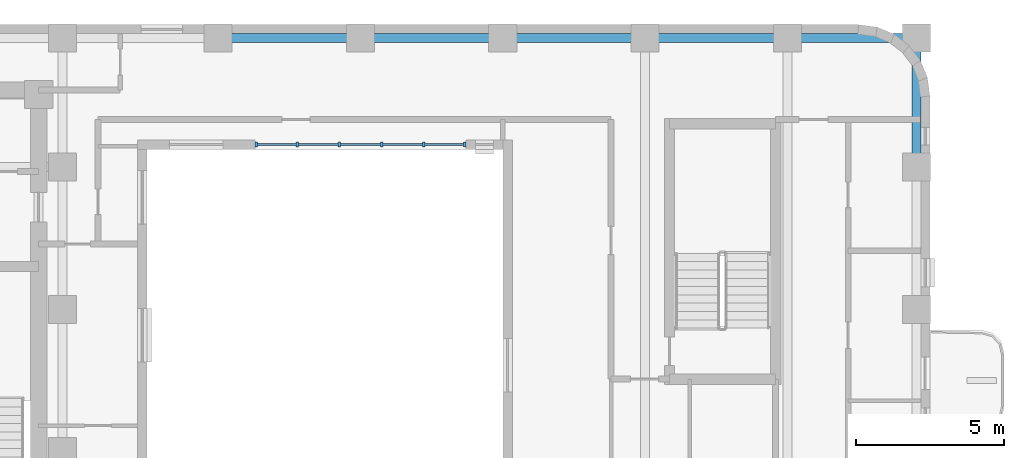
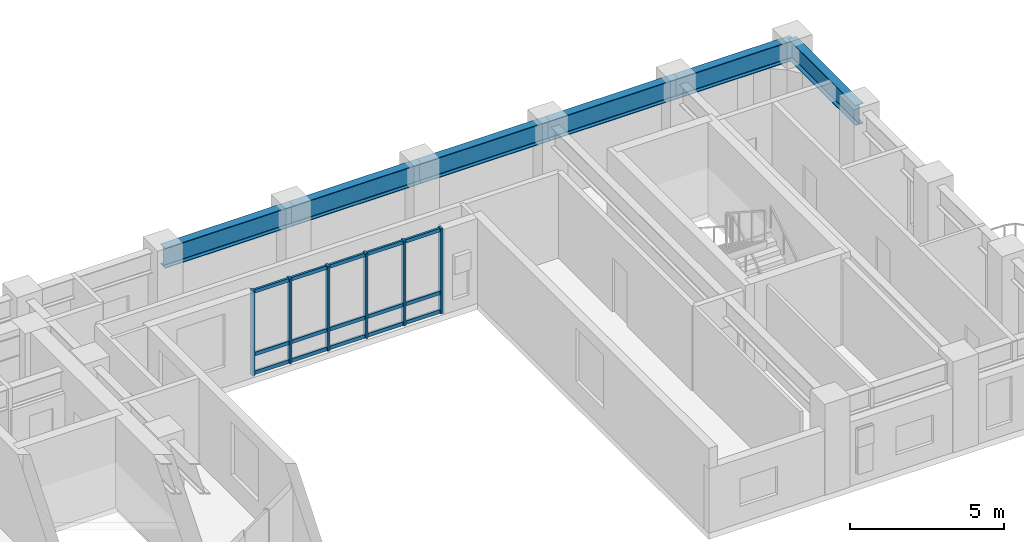
# One storey, part 2 of 11: 21 members, 6 beams, 1 element without a shape of its own.
"""IFC4 building model written with IfcOpenShell, lengths in metres."""

from ifc_helpers import new_model, si_unit, direction, frame, origin, origin_2d, place, context, subcontext, project, spatial, rectangle, i_section, extrude, material, material_profile, profile_set, type_object, element, aggregate, save


model = new_model("IFC4")

# Units and contexts
model_context = context("Model", 3, precision=1e-05, world=origin(), true_north=direction((0.0, 1.0)))
body_context = subcontext(model_context, "Body", "Model", "MODEL_VIEW")
ifc_project = project(units=[si_unit("LENGTHUNIT", "METRE"), si_unit("AREAUNIT", "SQUARE_METRE"), si_unit("VOLUMEUNIT", "CUBIC_METRE"), si_unit("PLANEANGLEUNIT", "RADIAN"), si_unit("MASSUNIT", "GRAM", prefix="KILO")], contexts=[model_context])

# Site, building, storey
site_placement = place(None, origin())
site = spatial("IfcSite", under=ifc_project, at=site_placement, CompositionType="ELEMENT")
building_placement = place(site_placement, origin())
building = spatial("IfcBuilding", under=site, at=building_placement, Name="Orvandelia Arch Residences", CompositionType="ELEMENT")
storey_placement = place(building_placement, frame((0.0, 0.0, 172.0)))
storey = spatial("IfcBuildingStorey", under=building, at=storey_placement, Name="L45", CompositionType="ELEMENT", Elevation=172.0)

# Beams
ifc_material_1 = material(Name="Structural Steel SM355 (355 MPa)", Category="steel")
ifc_material_profile_1 = material_profile(ifc_material_1, i_section(OverallWidth=0.300048828125, OverallDepth=0.800048828125, WebThickness=0.013916015625, FlangeThickness=0.02587890625, FilletRadius=0.02587890625, at=origin_2d()), Name="Structural Steel SM355 (355 MPa)", Category="steel")
ifc_profile_set_1 = profile_set([ifc_material_profile_1], Name="Structural Steel SM355 (355 MPa)")
beam_type = type_object("IfcBeamType", Name="BM-GRD-H800", PredefinedType="BEAM", material=ifc_profile_set_1)
beam_1_placement = place(storey_placement, frame((52.35009765625, 43.199951171875, 2.9599609375), z_axis=(0.0, 1.0, 0.0), x_axis=(-1.0, 0.0, 0.0)))
element("IfcBeam", 1, at=beam_1_placement, inside=storey, type_object=beam_type, Name="Structural Frame Beam L45-NS-021", PredefinedType="BEAM", context=body_context, shape_type="SweptSolid", body=[
    extrude(i_section(OverallWidth=0.300048828125, OverallDepth=0.800048828125, WebThickness=0.013916015625, FlangeThickness=0.02587890625, FilletRadius=0.02587890625, at=origin_2d()), origin(), (0.0, 0.0, 1.0), 4.35009765625),
])
beam_2_placement = place(storey_placement, frame((28.800048828125, 47.550048828125, 2.9599609375), z_axis=(1.0, 0.0, 0.0), x_axis=(0.0, 1.0, 0.0)))
element("IfcBeam", 2, at=beam_2_placement, inside=storey, type_object=beam_type, Name="Structural Frame Girder L45-EW-039", PredefinedType="BEAM", context=body_context, shape_type="SweptSolid", body=[
    extrude(i_section(OverallWidth=0.300048828125, OverallDepth=0.800048828125, WebThickness=0.013916015625, FlangeThickness=0.02587890625, FilletRadius=0.02587890625, at=origin_2d()), origin(), (0.0, 0.0, 1.0), 4.800048828125),
])
beam_3_placement = place(storey_placement, frame((33.60009765625, 47.550048828125, 2.9599609375), z_axis=(1.0, 0.0, 0.0), x_axis=(0.0, 1.0, 0.0)))
element("IfcBeam", 3, at=beam_3_placement, inside=storey, type_object=beam_type, Name="Structural Frame Girder L45-EW-040", PredefinedType="BEAM", context=body_context, shape_type="SweptSolid", body=[
    extrude(i_section(OverallWidth=0.300048828125, OverallDepth=0.800048828125, WebThickness=0.013916015625, FlangeThickness=0.02587890625, FilletRadius=0.02587890625, at=origin_2d()), origin(), (0.0, 0.0, 1.0), 4.7998046875),
])
for number, where, z_axis, x_axis, name in (
    (4, (38.39990234375, 47.550048828125, 2.9599609375), (1.0, 0.0, 0.0), (0.0, 1.0, 0.0), "Structural Frame Girder L45-EW-041"),
    (5, (43.199951171875, 47.550048828125, 2.9599609375), (1.0, 0.0, 0.0), (0.0, 1.0, 0.0), "Structural Frame Girder L45-EW-042"),
):
    element("IfcBeam", number, at=place(storey_placement, frame(where, z_axis=z_axis, x_axis=x_axis)), inside=storey, type_object=beam_type, Name=name, PredefinedType="BEAM", context=body_context, shape_type="SweptSolid", body=[
        extrude(i_section(OverallWidth=0.300048828125, OverallDepth=0.800048828125, WebThickness=0.013916015625, FlangeThickness=0.02587890625, FilletRadius=0.02587890625, at=origin_2d()), origin(), (0.0, 0.0, 1.0), 4.800048828125),
    ])
beam_4_placement = place(storey_placement, frame((48.0, 47.550048828125, 2.9599609375), z_axis=(1.0, 0.0, 0.0), x_axis=(0.0, 1.0, 0.0)))
element("IfcBeam", 6, at=beam_4_placement, inside=storey, type_object=beam_type, Name="Structural Frame Girder L45-EW-043", PredefinedType="BEAM", context=body_context, shape_type="SweptSolid", body=[
    extrude(i_section(OverallWidth=0.300048828125, OverallDepth=0.800048828125, WebThickness=0.013916015625, FlangeThickness=0.02587890625, FilletRadius=0.02587890625, at=origin_2d()), origin(), (0.0, 0.0, 1.0), 4.35009765625),
])

# Curtain wall, members
ifc_material_2 = material(Name="Anodised Bronze Curtain Wall Assembly")
curtain_wall_type = type_object("IfcCurtainWallType", Name="CW-SYS4-PORTAL", PredefinedType="NOTDEFINED", material=ifc_material_2)
curtain_wall_placement = place(storey_placement, origin())
curtain_wall = element("IfcCurtainWall", 7, at=curtain_wall_placement, inside=storey, type_object=curtain_wall_type, Name="Void-Portal Bridge Curtain Wall L45 1", PredefinedType="NOTDEFINED")
ifc_material_3 = material(Name="Anodised Aluminium Alloy 6063-T6", Category="aluminium")
ifc_material_profile_2 = material_profile(ifc_material_3, rectangle(XDim=0.080078125, YDim=0.179931640625, at=origin_2d()), Name="Anodised Aluminium Alloy 6063-T6", Category="aluminium")
ifc_profile_set_2 = profile_set([ifc_material_profile_2], Name="Anodised Aluminium Alloy 6063-T6")
member_type_1 = type_object("IfcMemberType", Name="CW-MULLION-80x160", PredefinedType="MULLION", material=ifc_profile_set_2)
member_1_placement = place(storey_placement, frame((30.080078125, 43.9599609375, 0.0), z_axis=(0.0, 0.0, 1.0), x_axis=(1.0, 0.0, 0.0)))
member_1 = element("IfcMember", 8, at=member_1_placement, type_object=member_type_1, Name="Curtain Wall Mullion CW-L45-1-M1", PredefinedType="MULLION", context=body_context, shape_type="SweptSolid", body=[
    extrude(rectangle(XDim=0.080078125, YDim=0.179931640625, at=origin_2d()), origin(), (0.0, 0.0, 1.0), 3.360107421875),
])
member_2_placement = place(storey_placement, frame((31.464111328125, 43.9599609375, 0.0), z_axis=(0.0, 0.0, 1.0), x_axis=(1.0, 0.0, 0.0)))
member_2 = element("IfcMember", 9, at=member_2_placement, type_object=member_type_1, Name="Curtain Wall Mullion CW-L45-1-M2", PredefinedType="MULLION", context=body_context, shape_type="SweptSolid", body=[
    extrude(rectangle(XDim=0.080078125, YDim=0.179931640625, at=origin_2d()), origin(), (0.0, 0.0, 1.0), 3.360107421875),
])
member_3_placement = place(storey_placement, frame((32.887939453125, 43.9599609375, 0.0), z_axis=(0.0, 0.0, 1.0), x_axis=(1.0, 0.0, 0.0)))
member_3 = element("IfcMember", 10, at=member_3_placement, type_object=member_type_1, Name="Curtain Wall Mullion CW-L45-1-M3", PredefinedType="MULLION", context=body_context, shape_type="SweptSolid", body=[
    extrude(rectangle(XDim=0.080078125, YDim=0.179931640625, at=origin_2d()), origin(), (0.0, 0.0, 1.0), 3.360107421875),
])
member_4_placement = place(storey_placement, frame((34.31201171875, 43.9599609375, 0.0), z_axis=(0.0, 0.0, 1.0), x_axis=(1.0, 0.0, 0.0)))
member_4 = element("IfcMember", 11, at=member_4_placement, type_object=member_type_1, Name="Curtain Wall Mullion CW-L45-1-M4", PredefinedType="MULLION", context=body_context, shape_type="SweptSolid", body=[
    extrude(rectangle(XDim=0.080078125, YDim=0.179931640625, at=origin_2d()), origin(), (0.0, 0.0, 1.0), 3.360107421875),
])
member_5_placement = place(storey_placement, frame((35.736083984375, 43.9599609375, 0.0), z_axis=(0.0, 0.0, 1.0), x_axis=(1.0, 0.0, 0.0)))
member_5 = element("IfcMember", 12, at=member_5_placement, type_object=member_type_1, Name="Curtain Wall Mullion CW-L45-1-M5", PredefinedType="MULLION", context=body_context, shape_type="SweptSolid", body=[
    extrude(rectangle(XDim=0.080078125, YDim=0.179931640625, at=origin_2d()), origin(), (0.0, 0.0, 1.0), 3.360107421875),
])
member_6_placement = place(storey_placement, frame((37.1201171875, 43.9599609375, 0.0), z_axis=(0.0, 0.0, 1.0), x_axis=(1.0, 0.0, 0.0)))
member_6 = element("IfcMember", 13, at=member_6_placement, type_object=member_type_1, Name="Curtain Wall Mullion CW-L45-1-M6", PredefinedType="MULLION", context=body_context, shape_type="SweptSolid", body=[
    extrude(rectangle(XDim=0.080078125, YDim=0.179931640625, at=origin_2d()), origin(), (0.0, 0.0, 1.0), 3.360107421875),
])
ifc_material_profile_3 = material_profile(ifc_material_3, rectangle(XDim=0.080078125, YDim=0.139892578125, at=origin_2d()), Name="Anodised Aluminium Alloy 6063-T6", Category="aluminium")
ifc_profile_set_3 = profile_set([ifc_material_profile_3], Name="Anodised Aluminium Alloy 6063-T6")
member_type_2 = type_object("IfcMemberType", Name="CW-TRANSOM-80x140", PredefinedType="USERDEFINED", material=ifc_profile_set_3)
member_7_placement = place(storey_placement, frame((30.10498046875, 43.9599609375, 0.070068359375), z_axis=(1.0, 0.0, 0.0), x_axis=(0.0, 1.0, 0.0)))
member_7 = element("IfcMember", 14, at=member_7_placement, type_object=member_type_2, Name="Curtain Wall Transom CW-L45-1-T1-1", ObjectType="TRANSOM", PredefinedType="USERDEFINED", context=body_context, shape_type="SweptSolid", body=[
    extrude(rectangle(XDim=0.080078125, YDim=0.139892578125, at=origin_2d()), origin(), (0.0, 0.0, 1.0), 1.333984375),
])
member_8_placement = place(storey_placement, frame((30.10498046875, 43.9599609375, 0.806396484375), z_axis=(1.0, 0.0, 0.0), x_axis=(0.0, 1.0, 0.0)))
member_8 = element("IfcMember", 15, at=member_8_placement, type_object=member_type_2, Name="Curtain Wall Transom CW-L45-1-T1-2", ObjectType="TRANSOM", PredefinedType="USERDEFINED", context=body_context, shape_type="SweptSolid", body=[
    extrude(rectangle(XDim=0.080078125, YDim=0.139892578125, at=origin_2d()), origin(), (0.0, 0.0, 1.0), 1.333984375),
])
member_9_placement = place(storey_placement, frame((30.10498046875, 43.9599609375, 3.2900390625), z_axis=(1.0, 0.0, 0.0), x_axis=(0.0, 1.0, 0.0)))
member_9 = element("IfcMember", 16, at=member_9_placement, type_object=member_type_2, Name="Curtain Wall Transom CW-L45-1-T1-3", ObjectType="TRANSOM", PredefinedType="USERDEFINED", context=body_context, shape_type="SweptSolid", body=[
    extrude(rectangle(XDim=0.080078125, YDim=0.139892578125, at=origin_2d()), origin(), (0.0, 0.0, 1.0), 1.333984375),
])
member_10_placement = place(storey_placement, frame((31.489013671875, 43.9599609375, 0.070068359375), z_axis=(1.0, 0.0, 0.0), x_axis=(0.0, 1.0, 0.0)))
member_10 = element("IfcMember", 17, at=member_10_placement, type_object=member_type_2, Name="Curtain Wall Transom CW-L45-1-T2-1", ObjectType="TRANSOM", PredefinedType="USERDEFINED", context=body_context, shape_type="SweptSolid", body=[
    extrude(rectangle(XDim=0.080078125, YDim=0.139892578125, at=origin_2d()), origin(), (0.0, 0.0, 1.0), 1.3740234375),
])
member_11_placement = place(storey_placement, frame((31.489013671875, 43.9599609375, 0.806396484375), z_axis=(1.0, 0.0, 0.0), x_axis=(0.0, 1.0, 0.0)))
member_11 = element("IfcMember", 18, at=member_11_placement, type_object=member_type_2, Name="Curtain Wall Transom CW-L45-1-T2-2", ObjectType="TRANSOM", PredefinedType="USERDEFINED", context=body_context, shape_type="SweptSolid", body=[
    extrude(rectangle(XDim=0.080078125, YDim=0.139892578125, at=origin_2d()), origin(), (0.0, 0.0, 1.0), 1.3740234375),
])
member_12_placement = place(storey_placement, frame((31.489013671875, 43.9599609375, 3.2900390625), z_axis=(1.0, 0.0, 0.0), x_axis=(0.0, 1.0, 0.0)))
member_12 = element("IfcMember", 19, at=member_12_placement, type_object=member_type_2, Name="Curtain Wall Transom CW-L45-1-T2-3", ObjectType="TRANSOM", PredefinedType="USERDEFINED", context=body_context, shape_type="SweptSolid", body=[
    extrude(rectangle(XDim=0.080078125, YDim=0.139892578125, at=origin_2d()), origin(), (0.0, 0.0, 1.0), 1.3740234375),
])
member_13_placement = place(storey_placement, frame((32.9130859375, 43.9599609375, 0.070068359375), z_axis=(1.0, 0.0, 0.0), x_axis=(0.0, 1.0, 0.0)))
member_13 = element("IfcMember", 20, at=member_13_placement, type_object=member_type_2, Name="Curtain Wall Transom CW-L45-1-T3-1", ObjectType="TRANSOM", PredefinedType="USERDEFINED", context=body_context, shape_type="SweptSolid", body=[
    extrude(rectangle(XDim=0.080078125, YDim=0.139892578125, at=origin_2d()), origin(), (0.0, 0.0, 1.0), 1.3740234375),
])
member_14_placement = place(storey_placement, frame((32.9130859375, 43.9599609375, 0.806396484375), z_axis=(1.0, 0.0, 0.0), x_axis=(0.0, 1.0, 0.0)))
member_14 = element("IfcMember", 21, at=member_14_placement, type_object=member_type_2, Name="Curtain Wall Transom CW-L45-1-T3-2", ObjectType="TRANSOM", PredefinedType="USERDEFINED", context=body_context, shape_type="SweptSolid", body=[
    extrude(rectangle(XDim=0.080078125, YDim=0.139892578125, at=origin_2d()), origin(), (0.0, 0.0, 1.0), 1.3740234375),
])
member_15_placement = place(storey_placement, frame((32.9130859375, 43.9599609375, 3.2900390625), z_axis=(1.0, 0.0, 0.0), x_axis=(0.0, 1.0, 0.0)))
member_15 = element("IfcMember", 22, at=member_15_placement, type_object=member_type_2, Name="Curtain Wall Transom CW-L45-1-T3-3", ObjectType="TRANSOM", PredefinedType="USERDEFINED", context=body_context, shape_type="SweptSolid", body=[
    extrude(rectangle(XDim=0.080078125, YDim=0.139892578125, at=origin_2d()), origin(), (0.0, 0.0, 1.0), 1.3740234375),
])
member_16_placement = place(storey_placement, frame((34.3369140625, 43.9599609375, 0.070068359375), z_axis=(1.0, 0.0, 0.0), x_axis=(0.0, 1.0, 0.0)))
member_16 = element("IfcMember", 23, at=member_16_placement, type_object=member_type_2, Name="Curtain Wall Transom CW-L45-1-T4-1", ObjectType="TRANSOM", PredefinedType="USERDEFINED", context=body_context, shape_type="SweptSolid", body=[
    extrude(rectangle(XDim=0.080078125, YDim=0.139892578125, at=origin_2d()), origin(), (0.0, 0.0, 1.0), 1.3740234375),
])
member_17_placement = place(storey_placement, frame((34.3369140625, 43.9599609375, 0.806396484375), z_axis=(1.0, 0.0, 0.0), x_axis=(0.0, 1.0, 0.0)))
member_17 = element("IfcMember", 24, at=member_17_placement, type_object=member_type_2, Name="Curtain Wall Transom CW-L45-1-T4-2", ObjectType="TRANSOM", PredefinedType="USERDEFINED", context=body_context, shape_type="SweptSolid", body=[
    extrude(rectangle(XDim=0.080078125, YDim=0.139892578125, at=origin_2d()), origin(), (0.0, 0.0, 1.0), 1.3740234375),
])
member_18_placement = place(storey_placement, frame((34.3369140625, 43.9599609375, 3.2900390625), z_axis=(1.0, 0.0, 0.0), x_axis=(0.0, 1.0, 0.0)))
member_18 = element("IfcMember", 25, at=member_18_placement, type_object=member_type_2, Name="Curtain Wall Transom CW-L45-1-T4-3", ObjectType="TRANSOM", PredefinedType="USERDEFINED", context=body_context, shape_type="SweptSolid", body=[
    extrude(rectangle(XDim=0.080078125, YDim=0.139892578125, at=origin_2d()), origin(), (0.0, 0.0, 1.0), 1.3740234375),
])
member_19_placement = place(storey_placement, frame((35.760986328125, 43.9599609375, 0.070068359375), z_axis=(1.0, 0.0, 0.0), x_axis=(0.0, 1.0, 0.0)))
member_19 = element("IfcMember", 26, at=member_19_placement, type_object=member_type_2, Name="Curtain Wall Transom CW-L45-1-T5-1", ObjectType="TRANSOM", PredefinedType="USERDEFINED", context=body_context, shape_type="SweptSolid", body=[
    extrude(rectangle(XDim=0.080078125, YDim=0.139892578125, at=origin_2d()), origin(), (0.0, 0.0, 1.0), 1.333984375),
])
member_20_placement = place(storey_placement, frame((35.760986328125, 43.9599609375, 0.806396484375), z_axis=(1.0, 0.0, 0.0), x_axis=(0.0, 1.0, 0.0)))
member_20 = element("IfcMember", 27, at=member_20_placement, type_object=member_type_2, Name="Curtain Wall Transom CW-L45-1-T5-2", ObjectType="TRANSOM", PredefinedType="USERDEFINED", context=body_context, shape_type="SweptSolid", body=[
    extrude(rectangle(XDim=0.080078125, YDim=0.139892578125, at=origin_2d()), origin(), (0.0, 0.0, 1.0), 1.333984375),
])
member_21_placement = place(storey_placement, frame((35.760986328125, 43.9599609375, 3.2900390625), z_axis=(1.0, 0.0, 0.0), x_axis=(0.0, 1.0, 0.0)))
member_21 = element("IfcMember", 28, at=member_21_placement, type_object=member_type_2, Name="Curtain Wall Transom CW-L45-1-T5-3", ObjectType="TRANSOM", PredefinedType="USERDEFINED", context=body_context, shape_type="SweptSolid", body=[
    extrude(rectangle(XDim=0.080078125, YDim=0.139892578125, at=origin_2d()), origin(), (0.0, 0.0, 1.0), 1.333984375),
])
aggregate(curtain_wall, [member_1, member_2, member_3, member_4, member_5, member_6, member_7, member_8, member_9, member_10, member_11, member_12, member_13, member_14, member_15, member_16, member_17, member_18, member_19, member_20, member_21])

save(model, "model.ifc")
